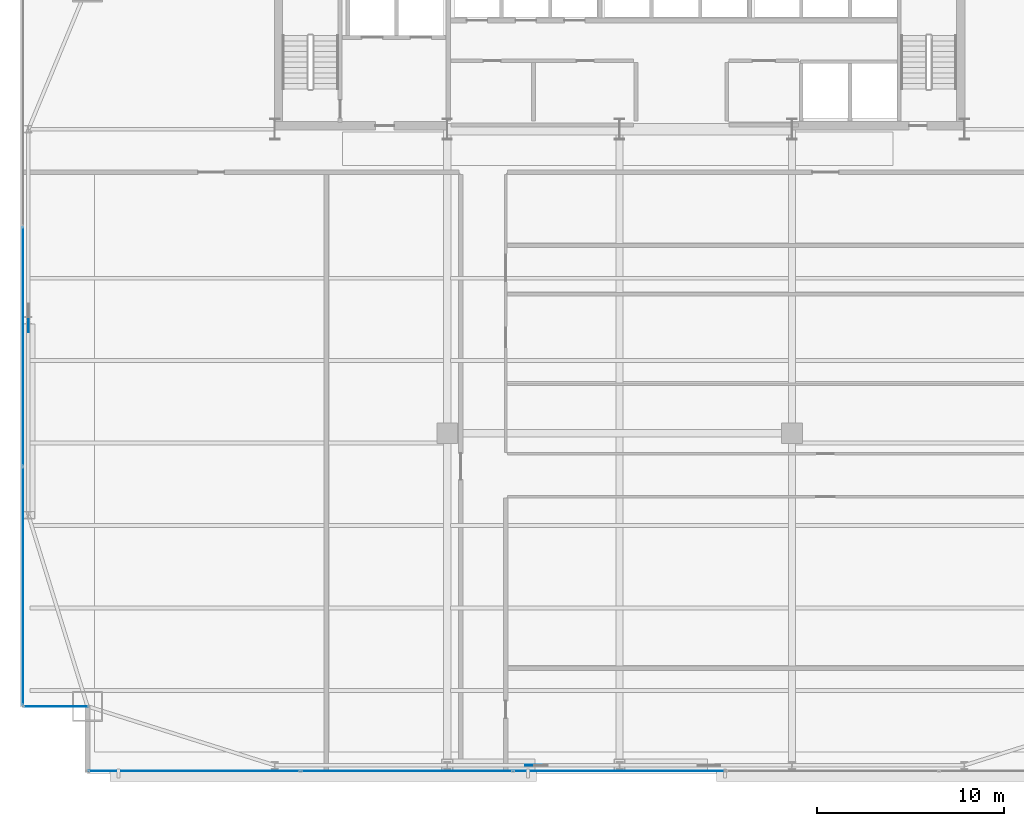
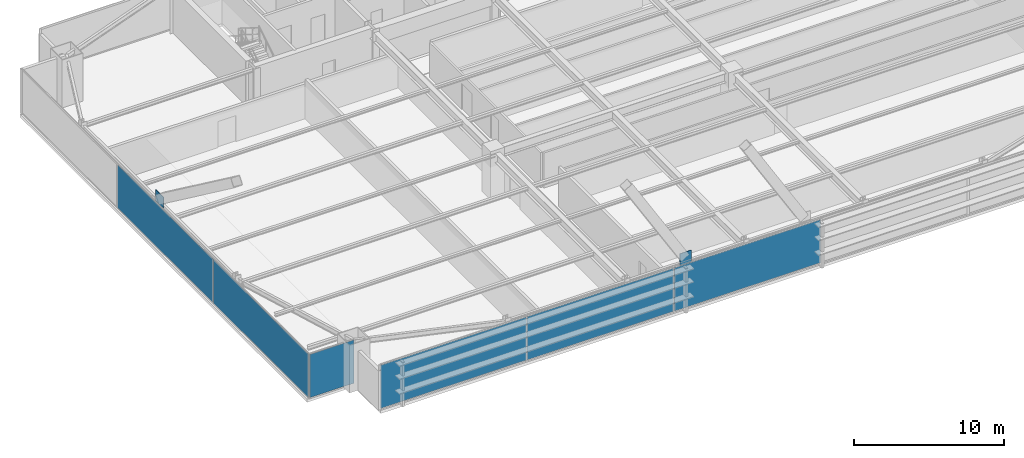
# One storey, part 25 of 35: 8 plates, 3 elements without a shape of their own.
"""IFC4 building model written with IfcOpenShell, lengths in metres."""

from ifc_helpers import new_model, si_unit, direction, frame, origin, origin_2d, place, context, subcontext, project, spatial, rectangle, extrude, source, transform, mapped, material, layer, layer_set, type_object, type_shapes, element, aggregate, save


model = new_model("IFC4")

# Units and contexts
model_context = context("Model", 3, precision=1e-05, world=origin(), true_north=direction((0.0, 1.0)))
body_context = subcontext(model_context, "Body", "Model", "MODEL_VIEW")
ifc_project = project(units=[si_unit("LENGTHUNIT", "METRE"), si_unit("AREAUNIT", "SQUARE_METRE"), si_unit("VOLUMEUNIT", "CUBIC_METRE"), si_unit("PLANEANGLEUNIT", "RADIAN"), si_unit("MASSUNIT", "GRAM", prefix="KILO")], contexts=[model_context])

# Site, building, storey
site_placement = place(None, origin())
site = spatial("IfcSite", under=ifc_project, at=site_placement, CompositionType="ELEMENT")
building_placement = place(site_placement, origin())
building = spatial("IfcBuilding", under=site, at=building_placement, Name="Varnel Quay Broadcast Tower", CompositionType="ELEMENT")
storey_placement = place(building_placement, frame((0.0, 0.0, 31.5)))
storey = spatial("IfcBuildingStorey", under=building, at=storey_placement, Name="L06", CompositionType="ELEMENT", Elevation=31.5)

# Plates
ifc_material_1 = material(Name="Structural Steel CSA G40.21 350WT", Category="steel")
ifc_layer_1 = layer(ifc_material_1, 0.0400390625, Name="Structural Steel CSA G40.21 350WT")
ifc_layer_set_1 = layer_set([ifc_layer_1], Name="Structural Steel CSA G40.21 350WT")
plate_type_1 = type_object("IfcPlateType", Name="Plate_MegaGusset", PredefinedType="USERDEFINED", material=ifc_layer_set_1)
shared_shape_1 = source(origin(), body_context, "Body", "SweptSolid", [
    extrude(rectangle(XDim=0.8740234375, YDim=0.0400390625, at=origin_2d()), origin(), (0.0, 0.0, 1.0), 1.162109375),
])
plate_1_placement = place(storey_placement, frame((29.39990234375, 1.64990234375, 3.19384765625), z_axis=(0.0, 0.0, 1.0), x_axis=(1.0, 0.0, 0.0)))
element("IfcPlate", 1, at=plate_1_placement, inside=storey, type_object=plate_type_1, Name="Zone 1 Mega-Brace S-C1T1 Central X-Crossing Gusset Plate", ObjectType="GUSSET_PLATE", PredefinedType="USERDEFINED", context=body_context, shape_type="MappedRepresentation", body=[
    mapped(shared_shape_1, transform((0.0, 0.0, 0.0), x_axis=(1.0, 0.0, 0.0), y_axis=(0.0, 1.0, 0.0), z_axis=(0.0, 0.0, 1.0), scale=1.0)),
])
shared_shape_2 = source(origin(), body_context, "Body", "SweptSolid", [
    extrude(rectangle(XDim=1.06689453125, YDim=0.0400390625, at=origin_2d()), origin(), (0.0, 0.0, 1.0), 0.906005859375),
])
type_shapes(plate_type_1, [shared_shape_1, shared_shape_2])
plate_2_placement = place(storey_placement, frame((2.449951171875, 25.300048828125, 3.32177734375), z_axis=(0.0, 0.0, 1.0), x_axis=(0.0, 1.0, 0.0)))
element("IfcPlate", 2, at=plate_2_placement, inside=storey, type_object=plate_type_1, Name="Zone 1 Mega-Brace W-FT1 Central X-Crossing Gusset Plate", ObjectType="GUSSET_PLATE", PredefinedType="USERDEFINED", context=body_context, shape_type="MappedRepresentation", body=[
    mapped(shared_shape_2, transform((0.0, 0.0, 0.0), x_axis=(1.0, 0.0, 0.0), y_axis=(0.0, 1.0, 0.0), z_axis=(0.0, 0.0, 1.0), scale=1.0)),
])

# Curtain wall, plate
ifc_material_2 = material(Name="Anodised Bronze Aluminium 6063-T6", Category="aluminium")
ifc_layer_2 = layer(ifc_material_2, 0.18994140625, Name="Anodised Bronze Aluminium 6063-T6")
ifc_layer_set_2 = layer_set([ifc_layer_2], Name="Anodised Bronze Aluminium 6063-T6")
curtain_wall_type_1 = type_object("IfcCurtainWallType", Name="CW_LowerTower", PredefinedType="NOTDEFINED", material=ifc_layer_set_2)
curtain_wall_1_placement = place(storey_placement, origin())
curtain_wall_1 = element("IfcCurtainWall", 3, at=curtain_wall_1_placement, inside=storey, type_object=curtain_wall_type_1, Name="L06 West Unitised Curtain Wall", PredefinedType="NOTDEFINED")
ifc_material_3 = material(Name="Insulated Bronze Spandrel Glass", Category="glass")
ifc_layer_3 = layer(ifc_material_3, 0.031982421875, Name="Insulated Bronze Spandrel Glass")
ifc_layer_set_3 = layer_set([ifc_layer_3], Name="Insulated Bronze Spandrel Glass")
plate_type_2 = type_object("IfcPlateType", Name="PanelSp_CWS-02", PredefinedType="CURTAIN_PANEL", material=ifc_layer_set_3)
shared_shape_3 = source(origin(), body_context, "Body", "SweptSolid", [
    extrude(rectangle(XDim=12.72998046875, YDim=0.031982421875, at=origin_2d()), origin(), (0.0, 0.0, 1.0), 3.530029296875),
])
plate_3_placement = place(storey_placement, frame((2.14990234375, 24.0, 0.06005859375), z_axis=(0.0, 0.0, 1.0), x_axis=(0.0, 1.0, 0.0)))
plate_3 = element("IfcPlate", 4, at=plate_3_placement, type_object=plate_type_2, Name="CWS-02 panel 2.1", PredefinedType="CURTAIN_PANEL", context=body_context, shape_type="MappedRepresentation", body=[
    mapped(shared_shape_3, transform((0.0, 0.0, 0.0), x_axis=(1.0, 0.0, 0.0), y_axis=(0.0, 1.0, 0.0), z_axis=(0.0, 0.0, 1.0), scale=1.0)),
])

ifc_layer_4 = layer(ifc_material_2, 0.18994140625, Name="Anodised Bronze Aluminium 6063-T6")
ifc_layer_set_4 = layer_set([ifc_layer_4], Name="Anodised Bronze Aluminium 6063-T6")
curtain_wall_type_2 = type_object("IfcCurtainWallType", Name="CW_NotchCorner", PredefinedType="NOTDEFINED", material=ifc_layer_set_4)
curtain_wall_2_placement = place(storey_placement, origin())
curtain_wall_2 = element("IfcCurtainWall", 5, at=curtain_wall_2_placement, inside=storey, type_object=curtain_wall_type_2, Name="L06 SW Notch Curtain Wall", PredefinedType="NOTDEFINED")
ifc_material_4 = material(Name="Triple-Glazed Bronze Low-E Architectural Glass", Category="glass")
ifc_layer_5 = layer(ifc_material_4, 0.028076171875, Name="Triple-Glazed Bronze Low-E Architectural Glass")
ifc_layer_set_5 = layer_set([ifc_layer_5], Name="Triple-Glazed Bronze Low-E Architectural Glass")
plate_type_3 = type_object("IfcPlateType", Name="Panel_CWS-04", PredefinedType="CURTAIN_PANEL", material=ifc_layer_set_5)
shared_shape_4 = source(origin(), body_context, "Body", "SweptSolid", [
    extrude(rectangle(XDim=3.409912109375, YDim=0.028076171875, at=origin_2d()), origin(), (0.0, 0.0, 1.0), 3.5400390625),
])
type_shapes(plate_type_3, [shared_shape_4])
plate_4_placement = place(storey_placement, frame((3.9150390625, 4.800048828125, 0.054931640625), z_axis=(0.0, 0.0, 1.0), x_axis=(1.0, 0.0, 0.0)))
plate_4 = element("IfcPlate", 6, at=plate_4_placement, type_object=plate_type_3, Name="CWS-04 panel 1.1", PredefinedType="CURTAIN_PANEL", context=body_context, shape_type="MappedRepresentation", body=[
    mapped(shared_shape_4, transform((0.0, 0.0, 0.0), x_axis=(1.0, 0.0, 0.0), y_axis=(0.0, 1.0, 0.0), z_axis=(0.0, 0.0, 1.0), scale=1.0)),
])
aggregate(curtain_wall_2, [plate_4])

# Curtain wall, plates
curtain_wall_3_placement = place(storey_placement, origin())
curtain_wall_3 = element("IfcCurtainWall", 7, at=curtain_wall_3_placement, inside=storey, type_object=curtain_wall_type_1, Name="L06 South Unitised Curtain Wall 1", PredefinedType="NOTDEFINED")
ifc_layer_6 = layer(ifc_material_4, 0.031982421875, Name="Triple-Glazed Bronze Low-E Architectural Glass")
ifc_layer_set_6 = layer_set([ifc_layer_6], Name="Triple-Glazed Bronze Low-E Architectural Glass")
plate_type_4 = type_object("IfcPlateType", Name="Panel_CWS-02", PredefinedType="CURTAIN_PANEL", material=ifc_layer_set_6)
shared_shape_5 = source(origin(), body_context, "Body", "SweptSolid", [
    extrude(rectangle(XDim=11.2548828125, YDim=0.031982421875, at=origin_2d()), origin(), (0.0, 0.0, 1.0), 3.530029296875),
])
plate_5_placement = place(storey_placement, frame((11.297607421875, 1.35009765625, 0.06005859375), z_axis=(0.0, 0.0, 1.0), x_axis=(1.0, 0.0, 0.0)))
plate_5 = element("IfcPlate", 8, at=plate_5_placement, type_object=plate_type_4, Name="CWS-02 panel 1.1", PredefinedType="CURTAIN_PANEL", context=body_context, shape_type="MappedRepresentation", body=[
    mapped(shared_shape_5, transform((0.0, 0.0, 0.0), x_axis=(1.0, 0.0, 0.0), y_axis=(0.0, 1.0, 0.0), z_axis=(0.0, 0.0, 1.0), scale=1.0)),
])
shared_shape_6 = source(origin(), body_context, "Body", "SweptSolid", [
    extrude(rectangle(XDim=11.2900390625, YDim=0.031982421875, at=origin_2d()), origin(), (0.0, 0.0, 1.0), 3.530029296875),
])
type_shapes(plate_type_2, [shared_shape_3, shared_shape_6])
plate_6_placement = place(storey_placement, frame((22.639892578125, 1.35009765625, 0.06005859375), z_axis=(0.0, 0.0, 1.0), x_axis=(1.0, 0.0, 0.0)))
plate_6 = element("IfcPlate", 9, at=plate_6_placement, type_object=plate_type_2, Name="CWS-02 panel 2.1", PredefinedType="CURTAIN_PANEL", context=body_context, shape_type="MappedRepresentation", body=[
    mapped(shared_shape_6, transform((0.0, 0.0, 0.0), x_axis=(1.0, 0.0, 0.0), y_axis=(0.0, 1.0, 0.0), z_axis=(0.0, 0.0, 1.0), scale=1.0)),
])
plate_7_placement = place(storey_placement, frame((34.0, 1.35009765625, 0.06005859375), z_axis=(0.0, 0.0, 1.0), x_axis=(1.0, 0.0, 0.0)))
plate_7 = element("IfcPlate", 10, at=plate_7_placement, type_object=plate_type_2, Name="CWS-02 panel 3.1", PredefinedType="CURTAIN_PANEL", context=body_context, shape_type="MappedRepresentation", body=[
    mapped(shared_shape_6, transform((0.0, 0.0, 0.0), x_axis=(1.0, 0.0, 0.0), y_axis=(0.0, 1.0, 0.0), z_axis=(0.0, 0.0, 1.0), scale=1.0)),
])
aggregate(curtain_wall_3, [plate_5, plate_6, plate_7])

# Plate
shared_shape_7 = source(origin(), body_context, "Body", "SweptSolid", [
    extrude(rectangle(XDim=12.695068359375, YDim=0.031982421875, at=origin_2d()), origin(), (0.0, 0.0, 1.0), 3.530029296875),
])
type_shapes(plate_type_4, [shared_shape_5, shared_shape_7])
plate_8_placement = place(storey_placement, frame((2.14990234375, 11.217529296875, 0.06005859375), z_axis=(0.0, 0.0, 1.0), x_axis=(0.0, 1.0, 0.0)))
plate_8 = element("IfcPlate", 11, at=plate_8_placement, type_object=plate_type_4, Name="CWS-02 panel 1.1", PredefinedType="CURTAIN_PANEL", context=body_context, shape_type="MappedRepresentation", body=[
    mapped(shared_shape_7, transform((0.0, 0.0, 0.0), x_axis=(1.0, 0.0, 0.0), y_axis=(0.0, 1.0, 0.0), z_axis=(0.0, 0.0, 1.0), scale=1.0)),
])

aggregate(curtain_wall_1, [plate_8, plate_3])

save(model, "model.ifc")
